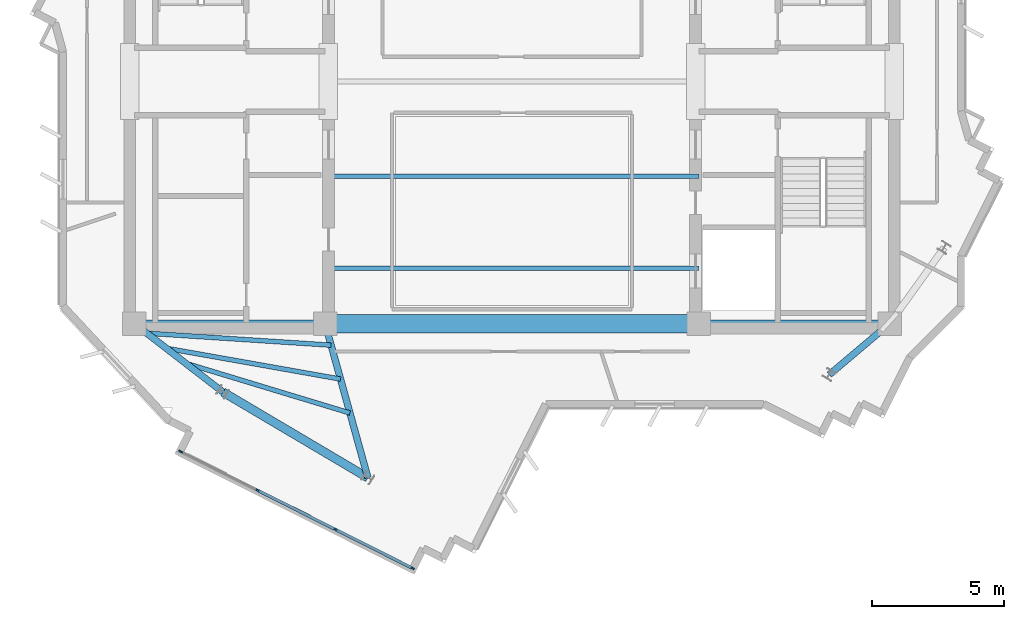
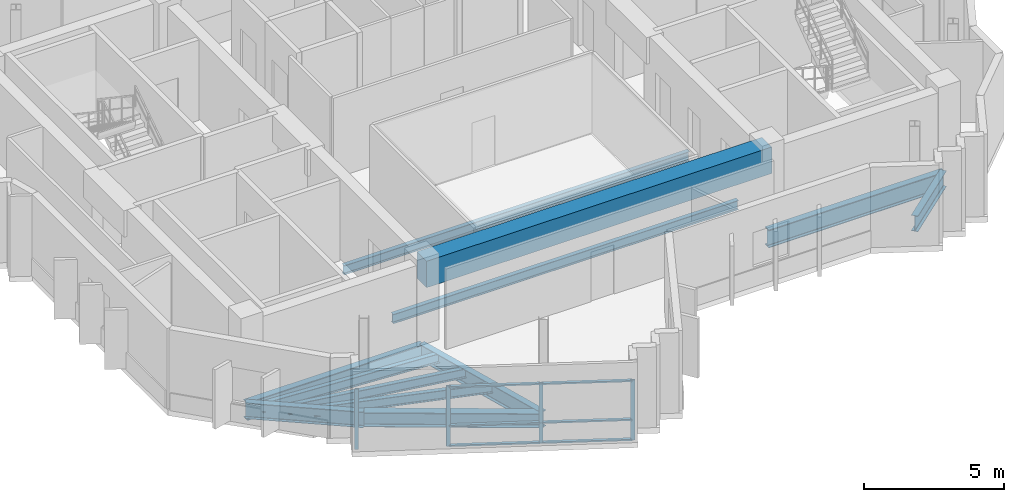
# One storey, part 2 of 11: 12 beams, 10 members, 1 element without a shape of its own.
"""IFC4 building model written with IfcOpenShell, lengths in metres."""

from ifc_helpers import new_model, si_unit, direction, frame, origin, origin_2d, place, context, subcontext, project, spatial, rectangle, i_section, extrude, source, transform, mapped, material, layer, layer_set, material_profile, profile_set, type_object, element, aggregate, save


model = new_model("IFC4")

# Units and contexts
model_context = context("Model", 3, precision=1e-05, world=origin(), true_north=direction((0.0, 1.0)))
body_context = subcontext(model_context, "Body", "Model", "MODEL_VIEW")
ifc_project = project(units=[si_unit("LENGTHUNIT", "METRE"), si_unit("AREAUNIT", "SQUARE_METRE"), si_unit("VOLUMEUNIT", "CUBIC_METRE"), si_unit("PLANEANGLEUNIT", "RADIAN"), si_unit("MASSUNIT", "GRAM", prefix="KILO")], contexts=[model_context])

# Site, building, storey
site_placement = place(None, origin())
site = spatial("IfcSite", under=ifc_project, at=site_placement, CompositionType="ELEMENT")
building_placement = place(site_placement, origin())
building = spatial("IfcBuilding", under=site, at=building_placement, Name="Zahravan Cultural Tower", CompositionType="ELEMENT")
storey_placement = place(building_placement, frame((0.0, 0.0, 353.550048828125)))
storey = spatial("IfcBuildingStorey", under=building, at=storey_placement, Name="L86", CompositionType="ELEMENT", Elevation=353.550048828125)

# Beams
ifc_material_1 = material(Name="Concrete C50/60", Category="concrete")
ifc_material_profile_1 = material_profile(ifc_material_1, rectangle(XDim=0.699951171875, YDim=1.14990234375, at=origin_2d()), Name="RC700X1150")
ifc_profile_set_1 = profile_set([ifc_material_profile_1], Name="Concrete C50/60")
beam_type_1 = type_object("IfcBeamType", Name="BM-LN-RC700X1150", PredefinedType="LINTEL", material=ifc_profile_set_1)
shared_shape_1 = source(origin(), body_context, "Body", "SweptSolid", [
    extrude(rectangle(XDim=0.699951171875, YDim=1.14990234375, at=origin_2d()), origin(), (0.0, 0.0, 1.0), 14.2001953125),
])
beam_1_placement = place(storey_placement, frame((28.89990234375, 17.800048828125, 2.925048828125), z_axis=(1.0, 0.0, 0.0), x_axis=(0.0, 1.0, 0.0)))
element("IfcBeam", 1, at=beam_1_placement, inside=storey, type_object=beam_type_1, Name="L86 Beam LN-L86-S", PredefinedType="LINTEL", context=body_context, shape_type="MappedRepresentation", body=[
    mapped(shared_shape_1, transform((0.0, 0.0, 0.0), x_axis=(1.0, 0.0, 0.0), y_axis=(0.0, 1.0, 0.0), z_axis=(0.0, 0.0, 1.0), scale=1.0)),
])
ifc_material_2 = material(Name="Steel ASTM A992 Grade 50", Category="steel")
ifc_material_profile_2 = material_profile(ifc_material_2, i_section(OverallWidth=0.26611328125, OverallDepth=0.780029296875, WebThickness=0.0166015625, FlangeThickness=0.030029296875, FilletRadius=0.01904296875, at=origin_2d()), Name="W30X148")
ifc_profile_set_2 = profile_set([ifc_material_profile_2], Name="Steel ASTM A992 Grade 50")
beam_type_2 = type_object("IfcBeamType", Name="BM-G-W30X148", PredefinedType="BEAM", material=ifc_profile_set_2)
shared_shape_2 = source(origin(), body_context, "Body", "SweptSolid", [
    extrude(i_section(OverallWidth=0.26611328125, OverallDepth=0.780029296875, WebThickness=0.0166015625, FlangeThickness=0.030029296875, FilletRadius=0.01904296875, at=origin_2d()), origin(), (0.0, 0.0, 1.0), 7.25),
])
for number, where, z_axis, x_axis, name in (
    (2, (21.64990234375, 17.800048828125, -0.64013671875), (1.0, 0.0, 0.0), (0.0, 1.0, 0.0), "L86 Beam BG-L86-01"),
    (3, (43.10009765625, 17.800048828125, -0.64013671875), (1.0, 0.0, 0.0), (0.0, 1.0, 0.0), "L86 Beam BG-L86-04"),
):
    element("IfcBeam", number, at=place(storey_placement, frame(where, z_axis=z_axis, x_axis=x_axis)), inside=storey, type_object=beam_type_2, Name=name, PredefinedType="BEAM", context=body_context, shape_type="MappedRepresentation", body=[
        mapped(shared_shape_2, transform((0.0, 0.0, 0.0), x_axis=(1.0, 0.0, 0.0), y_axis=(0.0, 1.0, 0.0), z_axis=(0.0, 0.0, 1.0), scale=1.0)),
    ])
ifc_material_profile_3 = material_profile(ifc_material_2, i_section(OverallWidth=0.326904296875, OverallDepth=0.6220703125, WebThickness=0.015380859375, FlangeThickness=0.0244140625, FilletRadius=0.014892578125, at=origin_2d()), Name="W24X131")
ifc_profile_set_3 = profile_set([ifc_material_profile_3], Name="Steel ASTM A992 Grade 50")
beam_type_3 = type_object("IfcBeamType", Name="BM-SP-W24X131", PredefinedType="SPANDREL", material=ifc_profile_set_3)
shared_shape_3 = source(origin(), body_context, "Body", "SweptSolid", [
    extrude(i_section(OverallWidth=0.326904296875, OverallDepth=0.6220703125, WebThickness=0.015380859375, FlangeThickness=0.0244140625, FilletRadius=0.014892578125, at=origin_2d()), origin(), (0.0, 0.0, 1.0), 6.400634765625),
])
beam_2_placement = place(storey_placement, frame((25.01611328125, 15.2001953125, -0.56103515625), z_axis=(0.860706991833, -0.509100652337, 0.0), x_axis=(0.509100652337, 0.860706991833, 0.0)))
element("IfcBeam", 4, at=beam_2_placement, inside=storey, type_object=beam_type_3, Name="L86 Beam SP-L86-15", PredefinedType="SPANDREL", context=body_context, shape_type="MappedRepresentation", body=[
    mapped(shared_shape_3, transform((0.0, 0.0, 0.0), x_axis=(1.0, 0.0, 0.0), y_axis=(0.0, 1.0, 0.0), z_axis=(0.0, 0.0, 1.0), scale=1.0)),
])
ifc_material_profile_4 = material_profile(ifc_material_2, i_section(OverallWidth=0.177978515625, OverallDepth=0.406005859375, WebThickness=0.0078125, FlangeThickness=0.0126953125, FilletRadius=0.011962890625, at=origin_2d()), Name="W16X40")
ifc_profile_set_4 = profile_set([ifc_material_profile_4], Name="Steel ASTM A992 Grade 50")
beam_type_4 = type_object("IfcBeamType", Name="BM-J-W16X40", PredefinedType="JOIST", material=ifc_profile_set_4)
shared_shape_4 = source(origin(), body_context, "Body", "SweptSolid", [
    extrude(i_section(OverallWidth=0.177978515625, OverallDepth=0.406005859375, WebThickness=0.0078125, FlangeThickness=0.0126953125, FilletRadius=0.011962890625, at=origin_2d()), origin(), (0.0, 0.0, 1.0), 14.2001953125),
])
for number, where, z_axis, x_axis, name in (
    (5, (28.89990234375, 19.89990234375, -0.453125), (1.0, 0.0, 0.0), (0.0, 1.0, 0.0), "L86 Beam BJ-L86-20"),
    (6, (28.89990234375, 23.39990234375, -0.453125), (1.0, 0.0, 0.0), (0.0, 1.0, 0.0), "L86 Beam BJ-L86-21"),
):
    element("IfcBeam", number, at=place(storey_placement, frame(where, z_axis=z_axis, x_axis=x_axis)), inside=storey, type_object=beam_type_4, Name=name, PredefinedType="JOIST", context=body_context, shape_type="MappedRepresentation", body=[
        mapped(shared_shape_4, transform((0.0, 0.0, 0.0), x_axis=(1.0, 0.0, 0.0), y_axis=(0.0, 1.0, 0.0), z_axis=(0.0, 0.0, 1.0), scale=1.0)),
    ])
shared_shape_5 = source(origin(), body_context, "Body", "SweptSolid", [
    extrude(i_section(OverallWidth=0.177978515625, OverallDepth=0.406005859375, WebThickness=0.0078125, FlangeThickness=0.0126953125, FilletRadius=0.011962890625, at=origin_2d()), origin(), (0.0, 0.0, 1.0), 7.02099609375),
])
beam_3_placement = place(storey_placement, frame((22.121337890625, 17.43603515625, -0.453125), z_axis=(0.99788584579, -0.064991066863, 0.0), x_axis=(0.064991066863, 0.99788584579, 0.0)))
element("IfcBeam", 7, at=beam_3_placement, inside=storey, type_object=beam_type_4, Name="L86 Beam BJ-L86-24", PredefinedType="JOIST", context=body_context, shape_type="MappedRepresentation", body=[
    mapped(shared_shape_5, transform((0.0, 0.0, 0.0), x_axis=(1.0, 0.0, 0.0), y_axis=(0.0, 1.0, 0.0), z_axis=(0.0, 0.0, 1.0), scale=1.0)),
])
shared_shape_6 = source(origin(), body_context, "Body", "SweptSolid", [
    extrude(i_section(OverallWidth=0.177978515625, OverallDepth=0.406005859375, WebThickness=0.0078125, FlangeThickness=0.0126953125, FilletRadius=0.011962890625, at=origin_2d()), origin(), (0.0, 0.0, 1.0), 6.726318359375),
])
beam_4_placement = place(storey_placement, frame((22.86181640625, 16.864013671875, -0.453125), z_axis=(0.98467447748, -0.17440233198, 0.0), x_axis=(0.17440233198, 0.98467447748, 0.0)))
element("IfcBeam", 8, at=beam_4_placement, inside=storey, type_object=beam_type_4, Name="L86 Beam BJ-L86-26", PredefinedType="JOIST", context=body_context, shape_type="MappedRepresentation", body=[
    mapped(shared_shape_6, transform((0.0, 0.0, 0.0), x_axis=(1.0, 0.0, 0.0), y_axis=(0.0, 1.0, 0.0), z_axis=(0.0, 0.0, 1.0), scale=1.0)),
])
shared_shape_7 = source(origin(), body_context, "Body", "SweptSolid", [
    extrude(i_section(OverallWidth=0.177978515625, OverallDepth=0.406005859375, WebThickness=0.0078125, FlangeThickness=0.0126953125, FilletRadius=0.011962890625, at=origin_2d()), origin(), (0.0, 0.0, 1.0), 6.520263671875),
])
beam_5_placement = place(storey_placement, frame((23.602294921875, 16.292236328125, -0.453125), z_axis=(0.957060297679, -0.289888921151, 0.0), x_axis=(0.289888921151, 0.957060297679, 0.0)))
element("IfcBeam", 9, at=beam_5_placement, inside=storey, type_object=beam_type_4, Name="L86 Beam BJ-L86-28", PredefinedType="JOIST", context=body_context, shape_type="MappedRepresentation", body=[
    mapped(shared_shape_7, transform((0.0, 0.0, 0.0), x_axis=(1.0, 0.0, 0.0), y_axis=(0.0, 1.0, 0.0), z_axis=(0.0, 0.0, 1.0), scale=1.0)),
])
ifc_material_profile_5 = material_profile(ifc_material_2, i_section(OverallWidth=0.25390625, OverallDepth=0.68798828125, WebThickness=0.01318359375, FlangeThickness=0.02099609375, FilletRadius=0.01806640625, at=origin_2d()), Name="W27X102")
ifc_profile_set_5 = profile_set([ifc_material_profile_5], Name="Steel ASTM A992 Grade 50")
beam_type_5 = type_object("IfcBeamType", Name="BM-G-W27X102", PredefinedType="BEAM", material=ifc_profile_set_5)
shared_shape_8 = source(origin(), body_context, "Body", "SweptSolid", [
    extrude(i_section(OverallWidth=0.25390625, OverallDepth=0.68798828125, WebThickness=0.01318359375, FlangeThickness=0.02099609375, FilletRadius=0.01806640625, at=origin_2d()), origin(), (0.0, 0.0, 1.0), 4.25341796875),
])
beam_6_placement = place(storey_placement, frame((21.64990234375, 17.800048828125, -0.593994140625), z_axis=(0.791433936253, -0.611254713313, 0.0), x_axis=(0.611254713313, 0.791433936253, 0.0)))
element("IfcBeam", 10, at=beam_6_placement, inside=storey, type_object=beam_type_5, Name="L86 Beam BG-L86-07", PredefinedType="BEAM", context=body_context, shape_type="MappedRepresentation", body=[
    mapped(shared_shape_8, transform((0.0, 0.0, 0.0), x_axis=(1.0, 0.0, 0.0), y_axis=(0.0, 1.0, 0.0), z_axis=(0.0, 0.0, 1.0), scale=1.0)),
])
shared_shape_9 = source(origin(), body_context, "Body", "SweptSolid", [
    extrude(i_section(OverallWidth=0.25390625, OverallDepth=0.68798828125, WebThickness=0.01318359375, FlangeThickness=0.02099609375, FilletRadius=0.01806640625, at=origin_2d()), origin(), (0.0, 0.0, 1.0), 6.07958984375),
])
beam_7_placement = place(storey_placement, frame((28.89990234375, 17.800048828125, -0.593994140625), z_axis=(0.267324894686, -0.963606455292, 0.0), x_axis=(0.963606455292, 0.267324894686, 0.0)))
element("IfcBeam", 11, at=beam_7_placement, inside=storey, type_object=beam_type_5, Name="L86 Beam BG-L86-08", PredefinedType="BEAM", context=body_context, shape_type="MappedRepresentation", body=[
    mapped(shared_shape_9, transform((0.0, 0.0, 0.0), x_axis=(1.0, 0.0, 0.0), y_axis=(0.0, 1.0, 0.0), z_axis=(0.0, 0.0, 1.0), scale=1.0)),
])
shared_shape_10 = source(origin(), body_context, "Body", "SweptSolid", [
    extrude(i_section(OverallWidth=0.25390625, OverallDepth=0.68798828125, WebThickness=0.01318359375, FlangeThickness=0.02099609375, FilletRadius=0.01806640625, at=origin_2d()), origin(), (0.0, 0.0, 1.0), 3.00537109375),
])
beam_8_placement = place(storey_placement, frame((50.35009765625, 17.800048828125, -0.593994140625), z_axis=(-0.763546494847, -0.645752855361, 0.0), x_axis=(0.645752855361, -0.763546494847, 0.0)))
element("IfcBeam", 12, at=beam_8_placement, inside=storey, type_object=beam_type_5, Name="L86 Beam BG-L86-09", PredefinedType="BEAM", context=body_context, shape_type="MappedRepresentation", body=[
    mapped(shared_shape_10, transform((0.0, 0.0, 0.0), x_axis=(1.0, 0.0, 0.0), y_axis=(0.0, 1.0, 0.0), z_axis=(0.0, 0.0, 1.0), scale=1.0)),
])

# Curtain wall, members
ifc_material_3 = material(Name="Anodised bronze-aluminium mullion", Category="aluminium")
ifc_layer = layer(ifc_material_3, 0.14990234375)
ifc_layer_set = layer_set([ifc_layer], Name="Anodised bronze-aluminium mullion")
curtain_wall_type = type_object("IfcCurtainWallType", Name="CW-SYS-6", PredefinedType="USERDEFINED", material=ifc_layer_set)
curtain_wall_placement = place(storey_placement, origin())
curtain_wall = element("IfcCurtainWall", 13, at=curtain_wall_placement, inside=storey, type_object=curtain_wall_type, Name="L86 Recessed Curtain Wall CW-6.2", ObjectType="OBSERVATORY LANTERN", PredefinedType="USERDEFINED")
ifc_material_profile_6 = material_profile(ifc_material_3, rectangle(XDim=0.06005859375, YDim=0.14990234375, at=origin_2d()), Name="AL-M60X150")
ifc_profile_set_6 = profile_set([ifc_material_profile_6], Name="Anodised bronze-aluminium mullion")
member_type_1 = type_object("IfcMemberType", Name="CWM-CW-6", PredefinedType="MULLION", material=ifc_profile_set_6)
shared_shape_11 = source(origin(), body_context, "Body", "SweptSolid", [
    extrude(rectangle(XDim=0.06005859375, YDim=0.14990234375, at=origin_2d()), origin(), (0.0, 0.0, 1.0), 2.619873046875),
])
member_1_placement = place(storey_placement, frame((32.2177734375, 8.507568359375, 0.0), z_axis=(0.0, 0.0, 1.0), x_axis=(-0.449317208482, -0.893372288669, 0.0)))
member_1 = element("IfcMember", 14, at=member_1_placement, type_object=member_type_1, Name="CW-6 mullion 1", PredefinedType="MULLION", context=body_context, shape_type="MappedRepresentation", body=[
    mapped(shared_shape_11, transform((0.0, 0.0, 0.0), x_axis=(1.0, 0.0, 0.0), y_axis=(0.0, 1.0, 0.0), z_axis=(0.0, 0.0, 1.0), scale=1.0)),
])
member_2_placement = place(storey_placement, frame((29.29052734375, 9.97998046875, 0.0), z_axis=(0.0, 0.0, 1.0), x_axis=(-0.449317208482, -0.893372288669, 0.0)))
member_2 = element("IfcMember", 15, at=member_2_placement, type_object=member_type_1, Name="CW-6 mullion 2", PredefinedType="MULLION", context=body_context, shape_type="MappedRepresentation", body=[
    mapped(shared_shape_11, transform((0.0, 0.0, 0.0), x_axis=(1.0, 0.0, 0.0), y_axis=(0.0, 1.0, 0.0), z_axis=(0.0, 0.0, 1.0), scale=1.0)),
])
member_3_placement = place(storey_placement, frame((26.33642578125, 11.465576171875, 0.0), z_axis=(0.0, 0.0, 1.0), x_axis=(-0.449317208482, -0.893372288669, 0.0)))
member_3 = element("IfcMember", 16, at=member_3_placement, type_object=member_type_1, Name="CW-6 mullion 3", PredefinedType="MULLION", context=body_context, shape_type="MappedRepresentation", body=[
    mapped(shared_shape_11, transform((0.0, 0.0, 0.0), x_axis=(1.0, 0.0, 0.0), y_axis=(0.0, 1.0, 0.0), z_axis=(0.0, 0.0, 1.0), scale=1.0)),
])
member_4_placement = place(storey_placement, frame((23.4091796875, 12.93798828125, 0.0), z_axis=(0.0, 0.0, 1.0), x_axis=(-0.449317208482, -0.893372288669, 0.0)))
member_4 = element("IfcMember", 17, at=member_4_placement, type_object=member_type_1, Name="CW-6 mullion 4", PredefinedType="MULLION", context=body_context, shape_type="MappedRepresentation", body=[
    mapped(shared_shape_11, transform((0.0, 0.0, 0.0), x_axis=(1.0, 0.0, 0.0), y_axis=(0.0, 1.0, 0.0), z_axis=(0.0, 0.0, 1.0), scale=1.0)),
])
ifc_material_profile_7 = material_profile(ifc_material_3, rectangle(XDim=0.1201171875, YDim=0.06005859375, at=origin_2d()), Name="AL-T60X120")
ifc_profile_set_7 = profile_set([ifc_material_profile_7], Name="Anodised bronze-aluminium mullion")
member_type_2 = type_object("IfcMemberType", Name="CWT-CW-6", PredefinedType="USERDEFINED", material=ifc_profile_set_7)
shared_shape_12 = source(origin(), body_context, "Body", "SweptSolid", [
    extrude(rectangle(XDim=0.1201171875, YDim=0.06005859375, at=origin_2d()), origin(), (0.0, 0.0, 1.0), 3.216796875),
])
member_5_placement = place(storey_placement, frame((32.19091796875, 8.521240234375, 0.030029296875), z_axis=(-0.893377366752, 0.449307111645, 0.0), x_axis=(-0.449307111645, -0.893377366752, 0.0)))
member_5 = element("IfcMember", 18, at=member_5_placement, type_object=member_type_2, Name="CW-6 transom 1.1", ObjectType="TRANSOM", PredefinedType="USERDEFINED", context=body_context, shape_type="MappedRepresentation", body=[
    mapped(shared_shape_12, transform((0.0, 0.0, 0.0), x_axis=(1.0, 0.0, 0.0), y_axis=(0.0, 1.0, 0.0), z_axis=(0.0, 0.0, 1.0), scale=1.0)),
])
member_6_placement = place(storey_placement, frame((32.19091796875, 8.521240234375, 0.89990234375), z_axis=(-0.893377366752, 0.449307111645, 0.0), x_axis=(-0.449307111645, -0.893377366752, 0.0)))
member_6 = element("IfcMember", 19, at=member_6_placement, type_object=member_type_2, Name="CW-6 transom 1.2", ObjectType="TRANSOM", PredefinedType="USERDEFINED", context=body_context, shape_type="MappedRepresentation", body=[
    mapped(shared_shape_12, transform((0.0, 0.0, 0.0), x_axis=(1.0, 0.0, 0.0), y_axis=(0.0, 1.0, 0.0), z_axis=(0.0, 0.0, 1.0), scale=1.0)),
])
member_7_placement = place(storey_placement, frame((32.19091796875, 8.521240234375, 2.58984375), z_axis=(-0.893377366752, 0.449307111645, 0.0), x_axis=(-0.449307111645, -0.893377366752, 0.0)))
member_7 = element("IfcMember", 20, at=member_7_placement, type_object=member_type_2, Name="CW-6 transom 1.3", ObjectType="TRANSOM", PredefinedType="USERDEFINED", context=body_context, shape_type="MappedRepresentation", body=[
    mapped(shared_shape_12, transform((0.0, 0.0, 0.0), x_axis=(1.0, 0.0, 0.0), y_axis=(0.0, 1.0, 0.0), z_axis=(0.0, 0.0, 1.0), scale=1.0)),
])
shared_shape_13 = source(origin(), body_context, "Body", "SweptSolid", [
    extrude(rectangle(XDim=0.1201171875, YDim=0.06005859375, at=origin_2d()), origin(), (0.0, 0.0, 1.0), 3.24658203125),
])
member_8_placement = place(storey_placement, frame((29.263671875, 9.993408203125, 0.030029296875), z_axis=(-0.8933719174, 0.449317946672, 0.0), x_axis=(-0.449317946672, -0.8933719174, 0.0)))
member_8 = element("IfcMember", 21, at=member_8_placement, type_object=member_type_2, Name="CW-6 transom 2.1", ObjectType="TRANSOM", PredefinedType="USERDEFINED", context=body_context, shape_type="MappedRepresentation", body=[
    mapped(shared_shape_13, transform((0.0, 0.0, 0.0), x_axis=(1.0, 0.0, 0.0), y_axis=(0.0, 1.0, 0.0), z_axis=(0.0, 0.0, 1.0), scale=1.0)),
])
member_9_placement = place(storey_placement, frame((29.263671875, 9.993408203125, 0.89990234375), z_axis=(-0.8933719174, 0.449317946672, 0.0), x_axis=(-0.449317946672, -0.8933719174, 0.0)))
member_9 = element("IfcMember", 22, at=member_9_placement, type_object=member_type_2, Name="CW-6 transom 2.2", ObjectType="TRANSOM", PredefinedType="USERDEFINED", context=body_context, shape_type="MappedRepresentation", body=[
    mapped(shared_shape_13, transform((0.0, 0.0, 0.0), x_axis=(1.0, 0.0, 0.0), y_axis=(0.0, 1.0, 0.0), z_axis=(0.0, 0.0, 1.0), scale=1.0)),
])
member_10_placement = place(storey_placement, frame((29.263671875, 9.993408203125, 2.58984375), z_axis=(-0.8933719174, 0.449317946672, 0.0), x_axis=(-0.449317946672, -0.8933719174, 0.0)))
member_10 = element("IfcMember", 23, at=member_10_placement, type_object=member_type_2, Name="CW-6 transom 2.3", ObjectType="TRANSOM", PredefinedType="USERDEFINED", context=body_context, shape_type="MappedRepresentation", body=[
    mapped(shared_shape_13, transform((0.0, 0.0, 0.0), x_axis=(1.0, 0.0, 0.0), y_axis=(0.0, 1.0, 0.0), z_axis=(0.0, 0.0, 1.0), scale=1.0)),
])
aggregate(curtain_wall, [member_1, member_2, member_3, member_4, member_5, member_6, member_7, member_8, member_9, member_10])

save(model, "model.ifc")
